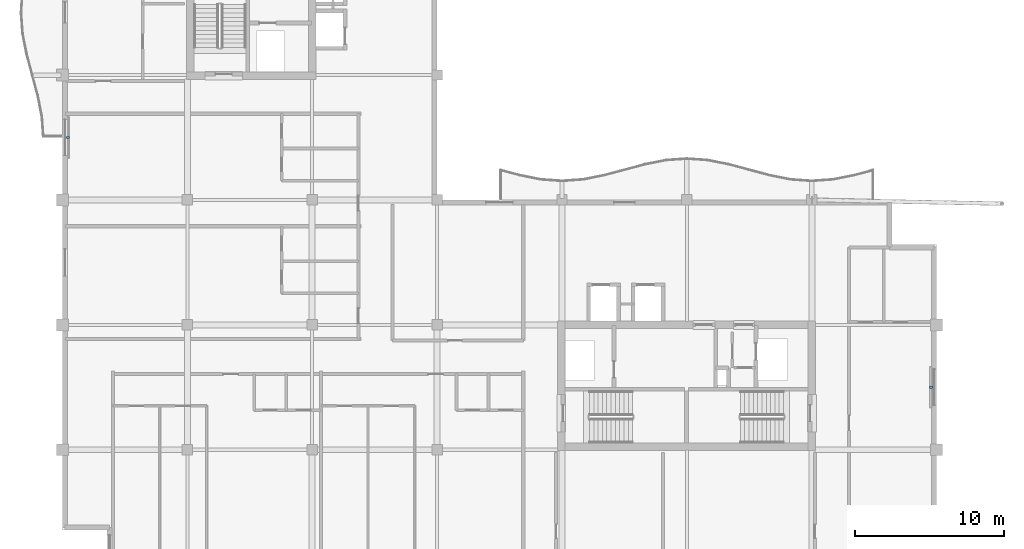
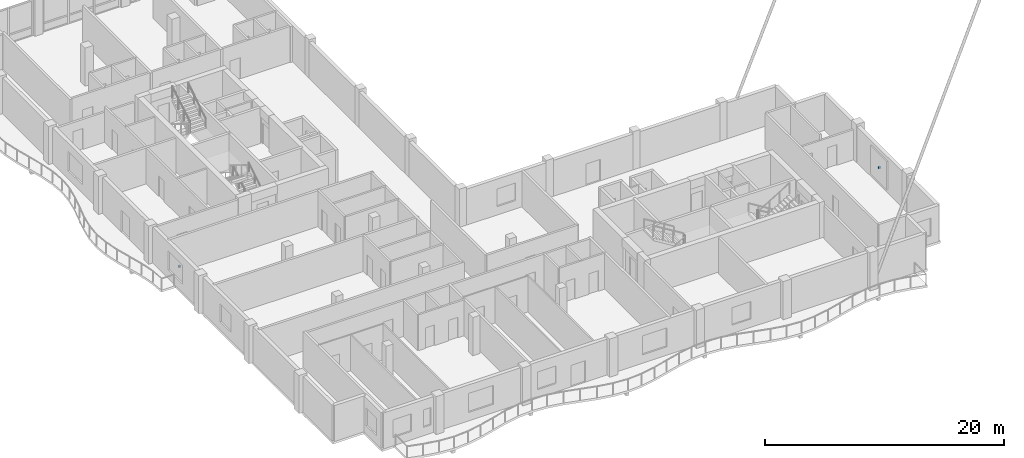
# One storey, part 13 of 17: 2 discrete accessories.
"""IFC4 building model written with IfcOpenShell, lengths in metres."""

from ifc_helpers import new_model, si_unit, direction, frame, origin, origin_2d, place, context, subcontext, project, spatial, rectangle, extrude, material, type_object, element, save


model = new_model("IFC4")

# Units and contexts
model_context = context("Model", 3, precision=1e-05, world=origin(), true_north=direction((0.0, 1.0)))
body_context = subcontext(model_context, "Body", "Model", "MODEL_VIEW")
ifc_project = project(units=[si_unit("LENGTHUNIT", "METRE"), si_unit("AREAUNIT", "SQUARE_METRE"), si_unit("VOLUMEUNIT", "CUBIC_METRE"), si_unit("PLANEANGLEUNIT", "RADIAN"), si_unit("MASSUNIT", "GRAM", prefix="KILO")], contexts=[model_context])

# Site, building, storey
site_placement = place(None, origin())
site = spatial("IfcSite", under=ifc_project, at=site_placement, CompositionType="ELEMENT")
building_placement = place(site_placement, origin())
building = spatial("IfcBuilding", under=site, at=building_placement, Name="Koriwani Terraces Tower", CompositionType="ELEMENT")
storey_placement = place(building_placement, frame((0.0, 0.0, 332.0)))
storey = spatial("IfcBuildingStorey", under=building, at=storey_placement, Name="L82", CompositionType="ELEMENT", Elevation=332.0)

# Discrete accessories
ifc_material = material(Name="Steel ASTM A572 Grade 50", Category="steel")
discrete_accessory_type = type_object("IfcDiscreteAccessoryType", Name="BAGUETTE_STANDOFF_BRACKET", PredefinedType="BRACKET", material=ifc_material)
for number, where, z_axis, x_axis, name in (
    (1, (8.7900390625, 37.800048828125, 1.7451171875), (0.0, 0.0, 1.0), (0.0, 1.0, 0.0), "L82 Terracotta Baguette Bracket (W-9)"),
    (2, (66.81005859375, 21.0, 1.7451171875), (0.0, 0.0, 1.0), (0.0, -1.0, 0.0), "L82 Terracotta Baguette Bracket (E_TIP-3)"),
):
    element("IfcDiscreteAccessory", number, at=place(storey_placement, frame(where, z_axis=z_axis, x_axis=x_axis)), inside=storey, type_object=discrete_accessory_type, Name=name, PredefinedType="BRACKET", context=body_context, shape_type="SweptSolid", body=[
        extrude(rectangle(XDim=0.159912109375, YDim=0.199951171875, at=origin_2d()), origin(), (0.0, 0.0, 1.0), 0.179931640625),
    ])

save(model, "model.ifc")
